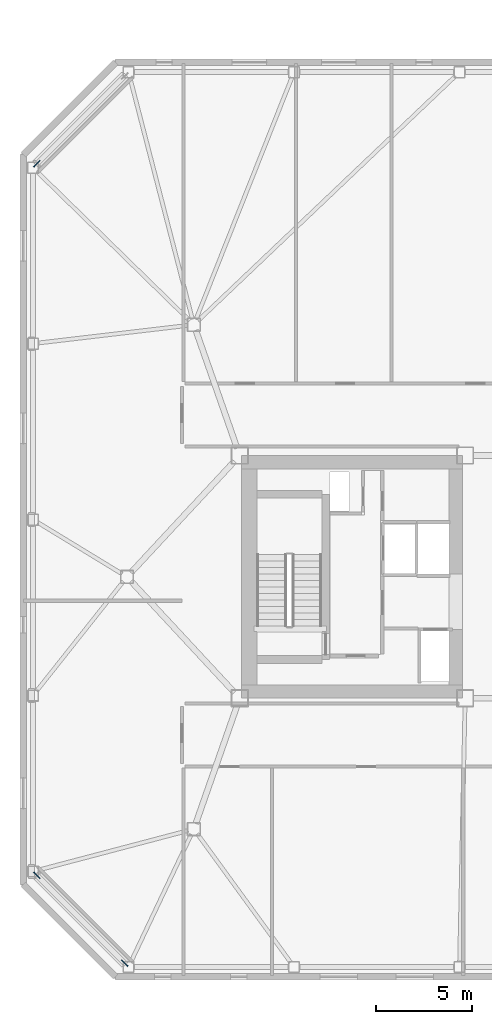
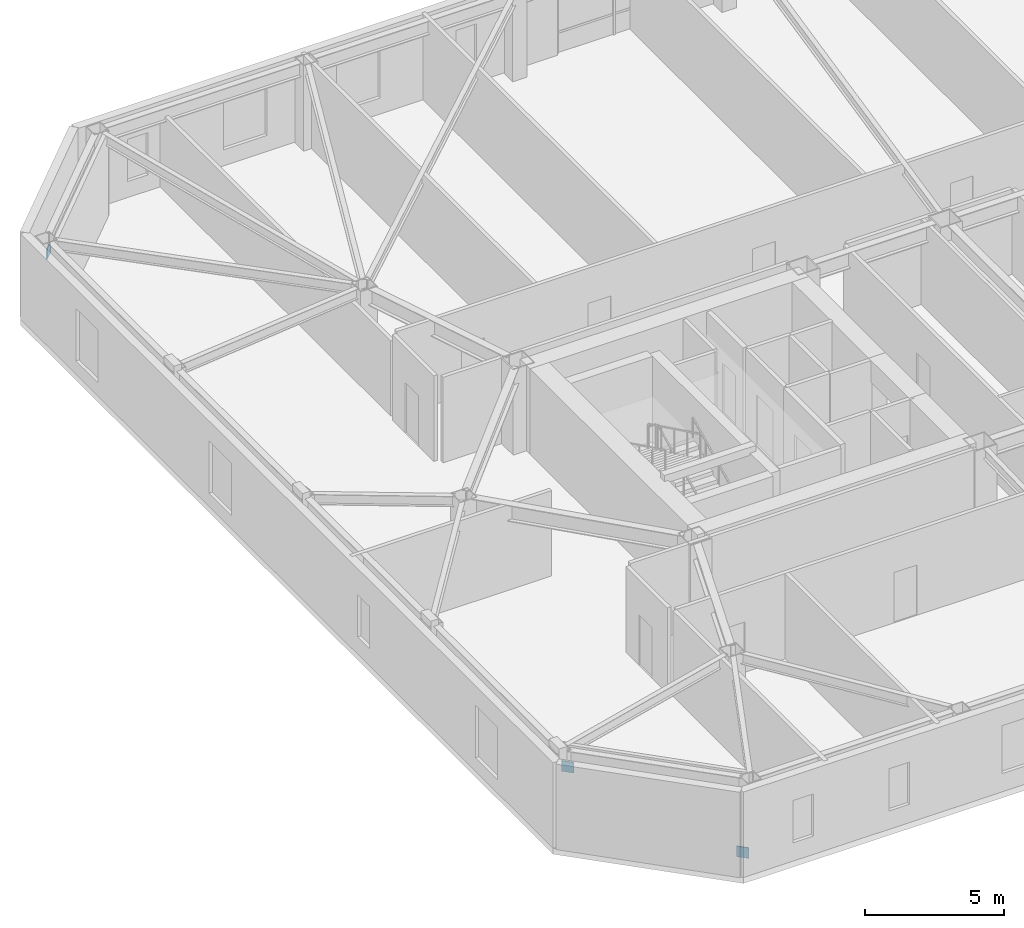
# One storey, part 17 of 20: 3 discrete accessories.
"""IFC4 building model written with IfcOpenShell, lengths in metres."""

from ifc_helpers import new_model, si_unit, direction, frame, origin, origin_2d, place, context, subcontext, project, spatial, rectangle, extrude, material, type_object, element, save


model = new_model("IFC4")

# Units and contexts
model_context = context("Model", 3, precision=1e-05, world=origin(), true_north=direction((0.0, 1.0)))
body_context = subcontext(model_context, "Body", "Model", "MODEL_VIEW")
ifc_project = project(units=[si_unit("LENGTHUNIT", "METRE"), si_unit("AREAUNIT", "SQUARE_METRE"), si_unit("VOLUMEUNIT", "CUBIC_METRE"), si_unit("PLANEANGLEUNIT", "RADIAN"), si_unit("MASSUNIT", "GRAM", prefix="KILO")], contexts=[model_context])

# Site, building, storey
site_placement = place(None, origin())
site = spatial("IfcSite", under=ifc_project, at=site_placement, CompositionType="ELEMENT")
building_placement = place(site_placement, origin())
building = spatial("IfcBuilding", under=site, at=building_placement, Name="Tavrogorsk Clinical Tower", CompositionType="ELEMENT")
storey_placement = place(building_placement, frame((0.0, 0.0, 176.199951171875)))
storey = spatial("IfcBuildingStorey", under=building, at=storey_placement, Name="L40", CompositionType="ELEMENT", Elevation=176.199951171875)

# Discrete accessories
ifc_material = material(Name="Structural steel S440", Category="steel")
discrete_accessory_type = type_object("IfcDiscreteAccessoryType", Name="GussetPlateBracket_25", PredefinedType="BRACKET", material=ifc_material)
for number, where, z_axis, x_axis, name in (
    (1, (-32.717529296875, 21.62255859375, 2.7470703125), (0.0, 0.0, 1.0), (-0.707106781187, -0.707106781187, 0.0), "L40 Brace Gusset Plate EXOCRN-L40-3-B"),
    (2, (-28.12255859375, -20.217529296875, 0.18310546875), (0.0, 0.0, 1.0), (-0.707106781187, 0.707106781187, 0.0), "L40 Brace Gusset Plate EXOCRN-L40-4-A"),
    (3, (-32.717529296875, -15.62255859375, 2.7470703125), (0.0, 0.0, 1.0), (-0.707106781187, 0.707106781187, 0.0), "L40 Brace Gusset Plate EXOCRN-L40-4-B"),
):
    element("IfcDiscreteAccessory", number, at=place(storey_placement, frame(where, z_axis=z_axis, x_axis=x_axis)), inside=storey, type_object=discrete_accessory_type, Name=name, PredefinedType="BRACKET", context=body_context, shape_type="SweptSolid", body=[
        extrude(rectangle(XDim=0.4599609375, YDim=0.0400390625, at=origin_2d()), origin(), (0.0, 0.0, 1.0), 0.4599609375),
    ])

save(model, "model.ifc")
